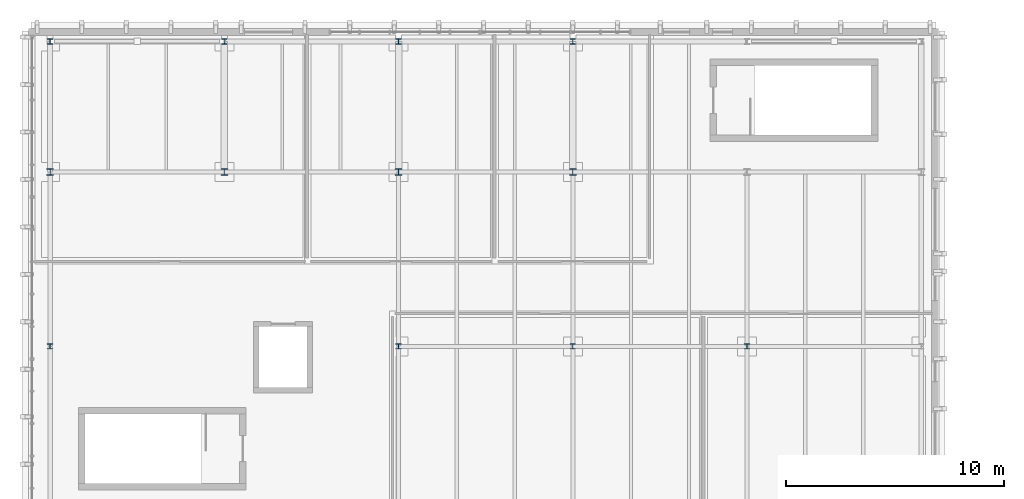
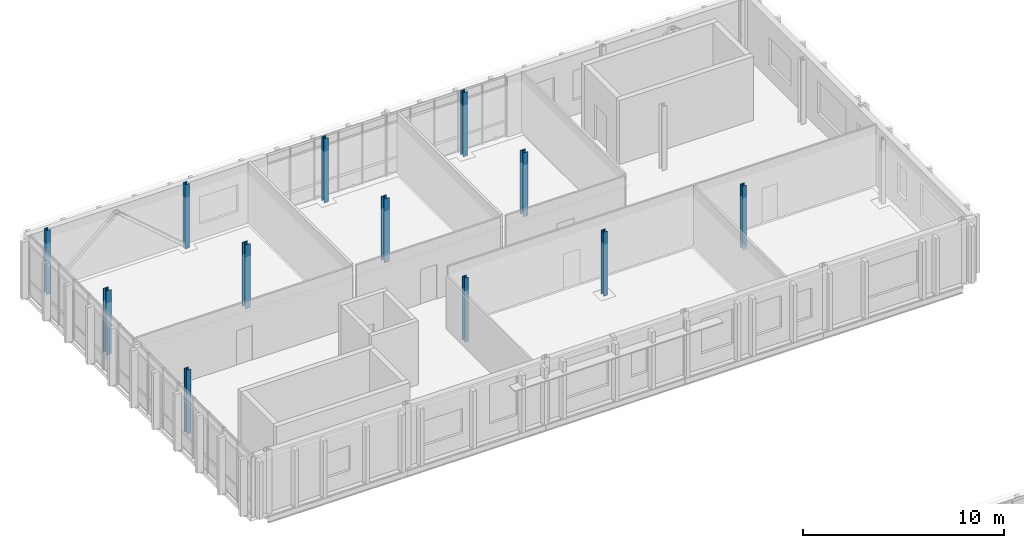
# One storey, part 4 of 40: 12 columns.
"""IFC4 building model written with IfcOpenShell, lengths in metres."""

import ifcopenshell
import ifcopenshell.guid

model = None  # the IFC model being written
_history = None  # IfcOwnerHistory: only IFC2X3 demands one
_inside = {}  # id of a spatial element -> (the spatial element, [elements in it])
_under = {}  # id of a project, library or spatial element -> (it, [spatial elements below it])
_declared = {}  # id of a project -> (the project, [libraries it declares])
_typed = {}  # id of a type object -> (the type object, [elements of that type])
_made_of = {}  # id of a material, layer set ... -> (it, [elements and type objects made of it])


def new_model(schema):
    """Start an empty IFC model of exactly this schema.

    Asked for "IFC4X3", IfcOpenShell would pick the latest addendum, in which some entities
    have other attributes; the version numbers below select the first issue.
    IFC2X3 requires an IfcOwnerHistory on every rooted entity: one is made here for all.
    """
    global model, _history
    if schema == "IFC4X3":
        model = ifcopenshell.file(schema_version=(4, 3, 0, 0))
    else:
        model = ifcopenshell.file(schema=schema)
    _inside.clear()
    _under.clear()
    _declared.clear()
    _typed.clear()
    _made_of.clear()
    _history = None
    if model.schema == "IFC2X3":
        org = make("IfcOrganization", Name="unknown")
        user = make(
            "IfcPersonAndOrganization",
            ThePerson=make("IfcPerson", FamilyName="unknown"),
            TheOrganization=org,
        )
        app = make(
            "IfcApplication",
            ApplicationDeveloper=org,
            Version="unknown",
            ApplicationFullName="unknown",
            ApplicationIdentifier="unknown",
        )
        _history = make(
            "IfcOwnerHistory",
            OwningUser=user,
            OwningApplication=app,
            ChangeAction="ADDED",
            CreationDate=0,
        )
    return model


def make(cls, **values):
    """One entity of the class cls with the attributes given. An attribute that is None is left unset."""
    return model.create_entity(
        cls, **{name: value for name, value in values.items() if value is not None}
    )


def rooted(cls, **values):
    """An entity with a GlobalId (a new one), such as an element, a storey or a relation."""
    return make(cls, GlobalId=ifcopenshell.guid.new(), OwnerHistory=_history, **values)


def si_unit(unit_type, name, prefix=None):
    """IfcSIUnit, for example si_unit("LENGTHUNIT", "METRE", prefix="MILLI")."""
    return make("IfcSIUnit", UnitType=unit_type, Prefix=prefix, Name=name)


def assignment(units):
    """IfcUnitAssignment: the units of a project."""
    return None if units is None else make("IfcUnitAssignment", Units=units)


def point(xyz):
    """IfcCartesianPoint."""
    return None if xyz is None else make("IfcCartesianPoint", Coordinates=xyz)


def direction(xyz):
    """IfcDirection."""
    return None if xyz is None else make("IfcDirection", DirectionRatios=xyz)


def frame(location, z_axis=None, x_axis=None):
    """IfcAxis2Placement3D, a coordinate frame: its origin and axes. An axis left out is left unset."""
    return make(
        "IfcAxis2Placement3D",
        Location=point(location),
        Axis=direction(z_axis),
        RefDirection=direction(x_axis),
    )


def frame_2d(location, x_axis=None):
    """IfcAxis2Placement2D, a coordinate frame in the plane: its origin and x axis."""
    return make(
        "IfcAxis2Placement2D", Location=point(location), RefDirection=direction(x_axis)
    )


def origin():
    """The frame at (0, 0, 0) with its axes left unset."""
    return frame((0.0, 0.0, 0.0))


def origin_2d():
    """The frame at (0, 0) in the plane with its x axis left unset."""
    return frame_2d((0.0, 0.0))


def place(relative_to, where):
    """IfcLocalPlacement: puts the frame where relative to a parent placement (None: the world)."""
    return make(
        "IfcLocalPlacement", PlacementRelTo=relative_to, RelativePlacement=where
    )


def context(
    kind, dimensions, precision=None, world=None, true_north=None, identifier=None
):
    """IfcGeometricRepresentationContext, for example the 3D "Model" context."""
    return make(
        "IfcGeometricRepresentationContext",
        ContextIdentifier=identifier,
        ContextType=kind,
        CoordinateSpaceDimension=dimensions,
        Precision=precision,
        WorldCoordinateSystem=world,
        TrueNorth=true_north,
    )


def subcontext(parent, identifier, kind, view, scale=None):
    """IfcGeometricRepresentationSubContext, for example "Body" below "Model"."""
    return make(
        "IfcGeometricRepresentationSubContext",
        ContextIdentifier=identifier,
        ContextType=kind,
        ParentContext=parent,
        TargetScale=scale,
        TargetView=view,
    )


def project(units=None, contexts=None):
    """IfcProject with its units and contexts."""
    return rooted(
        "IfcProject",
        Name="project",
        RepresentationContexts=contexts,
        UnitsInContext=assignment(units),
    )


def spatial(cls, under=None, at=None, **own):
    """A site, building, storey or space (cls), placed at a placement, below another one or the project."""
    s = rooted(cls, ObjectPlacement=at, **own)
    if under is not None:
        _under.setdefault(under.id(), (under, []))[1].append(s)
    return s


def profile(cls, at=None, kind="AREA", **sizes):
    """A parametric profile (cls). Its sizes go by their IFC names, for example OverallWidth=200.0."""
    return make(cls, ProfileType=kind, Position=at, **sizes)


def i_section(**sizes):
    """IfcIShapeProfileDef."""
    return profile("IfcIShapeProfileDef", **sizes)


def extrude(swept, where, along, depth):
    """IfcExtrudedAreaSolid: the profile swept, set in the frame where, extruded along a direction by depth."""
    return make(
        "IfcExtrudedAreaSolid",
        SweptArea=swept,
        Position=where,
        ExtrudedDirection=direction(along),
        Depth=depth,
    )


def shape(context_of_items, identifier, shape_type, items):
    """IfcShapeRepresentation: the items that make up one representation, for example the "Body"."""
    return make(
        "IfcShapeRepresentation",
        ContextOfItems=context_of_items,
        RepresentationIdentifier=identifier,
        RepresentationType=shape_type,
        Items=items,
    )


def material(Name=None, Category=None):
    """IfcMaterial."""
    return make("IfcMaterial", Name=Name, Category=Category)


def material_profile(
    of_material, cross_section, Name=None, Category=None, Priority=None
):
    """IfcMaterialProfile: a cross section and its material."""
    return make(
        "IfcMaterialProfile",
        Name=Name,
        Material=of_material,
        Profile=cross_section,
        Priority=Priority,
        Category=Category,
    )


def profile_set(profiles, Name=None, composite=None):
    """IfcMaterialProfileSet."""
    return make(
        "IfcMaterialProfileSet",
        Name=Name,
        MaterialProfiles=profiles,
        CompositeProfile=composite,
    )


def made_of(thing, what):
    """Note that an element or type object is made of a material, layer set ...; save() writes the relation."""
    if what is not None:
        _made_of.setdefault(what.id(), (what, []))[1].append(thing)
    return thing


def type_object(cls, material=None, **own):
    """A type object (cls), such as IfcWallType, which elements share."""
    return made_of(rooted(cls, **own), material)


def element(
    cls,
    number,
    at=None,
    inside=None,
    cuts=None,
    type_object=None,
    material=None,
    context=None,
    identifier="Body",
    shape_type=None,
    held_by="IfcProductDefinitionShape",
    body=None,
    shapes=None,
    **own,
):
    """One element of the class cls, such as IfcWall. Its Tag is "e" and its number.

    at: its placement. inside: the storey or other place that contains it. cuts: it is an
    opening in that element (IfcRelVoidsElement). A single representation is given by context,
    identifier, shape_type and body (its items); several are given by shapes. held_by: the class
    of the entity that holds the representations. save() writes the other relations.
    """
    e = rooted(cls, Tag="e%d" % number, ObjectPlacement=at, **own)
    if body is not None:
        shapes = [shape(context, identifier, shape_type, body)]
    if shapes is not None:
        e.Representation = make(held_by, Representations=shapes)
    if inside is not None:
        _inside.setdefault(inside.id(), (inside, []))[1].append(e)
    if cuts is not None:
        rooted(
            "IfcRelVoidsElement", RelatingBuildingElement=cuts, RelatedOpeningElement=e
        )
    if type_object is not None:
        _typed.setdefault(type_object.id(), (type_object, []))[1].append(e)
    return made_of(e, material)


def aggregate(whole, parts):
    """IfcRelAggregates: a whole, such as a stair, and the parts it consists of."""
    return rooted("IfcRelAggregates", RelatingObject=whole, RelatedObjects=parts)


def save(model, path):
    """Write the relations noted so far, then the file.

    IfcRelAggregates (storeys below a building ...), IfcRelContainedInSpatialStructure (elements
    in a storey), IfcRelDefinesByType, IfcRelAssociatesMaterial and IfcRelDeclares: one each for
    every whole, place, type object, material and project.
    """
    for whole, parts in _under.values():
        aggregate(whole, parts)
    for where, things in _inside.values():
        rooted(
            "IfcRelContainedInSpatialStructure",
            RelatedElements=things,
            RelatingStructure=where,
        )
    for kind, things in _typed.values():
        rooted("IfcRelDefinesByType", RelatedObjects=things, RelatingType=kind)
    for what, things in _made_of.values():
        rooted("IfcRelAssociatesMaterial", RelatedObjects=things, RelatingMaterial=what)
    for by, libraries in _declared.values():
        rooted("IfcRelDeclares", RelatingContext=by, RelatedDefinitions=libraries)
    model.write(path)


model = new_model("IFC4")

# Units and contexts
model_context = context("Model", 3, precision=1e-05, world=origin(), true_north=direction((0.0, 1.0)))
body_context = subcontext(model_context, "Body", "Model", "MODEL_VIEW")
ifc_project = project(units=[si_unit("LENGTHUNIT", "METRE"), si_unit("AREAUNIT", "SQUARE_METRE"), si_unit("VOLUMEUNIT", "CUBIC_METRE"), si_unit("PLANEANGLEUNIT", "RADIAN"), si_unit("MASSUNIT", "GRAM", prefix="KILO")], contexts=[model_context])

# Site, building, storey
site_placement = place(None, origin())
site = spatial("IfcSite", under=ifc_project, at=site_placement, CompositionType="ELEMENT")
building_placement = place(site_placement, origin())
building = spatial("IfcBuilding", under=site, at=building_placement, Name="Cymarion Research Institute", CompositionType="ELEMENT")
storey_placement = place(building_placement, frame((0.0, 0.0, 26.699951171875)))
storey = spatial("IfcBuildingStorey", under=building, at=storey_placement, Name="L06", CompositionType="ELEMENT", Elevation=26.699951171875)

# Columns
ifc_material = material(Name="Steel S355", Category="steel")
ifc_material_profile_1 = material_profile(ifc_material, i_section(OverallWidth=0.239990234375, OverallDepth=0.239990234375, WebThickness=0.010009765625, FlangeThickness=0.01708984375, FilletRadius=0.02099609375, at=origin_2d()), Name="HEB 240")
ifc_profile_set_1 = profile_set([ifc_material_profile_1], Name="Steel S355")
column_type_1 = type_object("IfcColumnType", Name="STRUCTURAL COLUMN C10 HEB 240", PredefinedType="COLUMN", material=ifc_profile_set_1)
for number, where, z_axis, x_axis, name in (
    (1, (6.60009765625, 101.5, 0.0), (0.0, 0.0, 1.0), (1.0, 0.0, 0.0), "L06 V5 column C10 #1179"),
    (2, (6.60009765625, 115.5, 0.0), (0.0, 0.0, 1.0), (1.0, 0.0, 0.0), "L06 V5 column C10 #1181"),
    (3, (14.60009765625, 115.5, 0.0), (0.0, 0.0, 1.0), (1.0, 0.0, 0.0), "L06 V5 column C10 #1188"),
    (4, (22.60009765625, 101.5, 0.0), (0.0, 0.0, 1.0), (1.0, 0.0, 0.0), "L06 V5 column C10 #1194"),
    (5, (22.60009765625, 115.5, 0.0), (0.0, 0.0, 1.0), (1.0, 0.0, 0.0), "L06 V5 column C10 #1196"),
    (6, (30.60009765625, 101.5, 0.0), (0.0, 0.0, 1.0), (1.0, 0.0, 0.0), "L06 V5 column C10 #1202"),
    (7, (30.60009765625, 115.5, 0.0), (0.0, 0.0, 1.0), (1.0, 0.0, 0.0), "L06 V5 column C10 #1204"),
    (8, (38.60009765625, 101.5, 0.0), (0.0, 0.0, 1.0), (1.0, 0.0, 0.0), "L06 V5 column C10 #1209"),
):
    element("IfcColumn", number, at=place(storey_placement, frame(where, z_axis=z_axis, x_axis=x_axis)), inside=storey, type_object=column_type_1, Name=name, PredefinedType="COLUMN", context=body_context, shape_type="SweptSolid", body=[
        extrude(i_section(OverallWidth=0.239990234375, OverallDepth=0.239990234375, WebThickness=0.010009765625, FlangeThickness=0.01708984375, FilletRadius=0.02099609375, at=origin_2d()), origin(), (0.0, 0.0, 1.0), 3.900146484375),
    ])
ifc_material_profile_2 = material_profile(ifc_material, i_section(OverallWidth=0.300048828125, OverallDepth=0.2900390625, WebThickness=0.008544921875, FlangeThickness=0.013916015625, FilletRadius=0.027099609375, at=origin_2d()), Name="HEA 300")
ifc_profile_set_2 = profile_set([ifc_material_profile_2], Name="Steel S355")
column_type_2 = type_object("IfcColumnType", Name="STRUCTURAL COLUMN C13 HEA 300", PredefinedType="COLUMN", material=ifc_profile_set_2)
for number, where, z_axis, x_axis, name in (
    (9, (6.60009765625, 109.5, 0.0), (0.0, 0.0, 1.0), (1.0, 0.0, 0.0), "L06 V5 column C13 #1180"),
    (10, (14.60009765625, 109.5, 0.0), (0.0, 0.0, 1.0), (1.0, 0.0, 0.0), "L06 V5 column C13 #1187"),
    (11, (22.60009765625, 109.5, 0.0), (0.0, 0.0, 1.0), (1.0, 0.0, 0.0), "L06 V5 column C13 #1195"),
    (12, (30.60009765625, 109.5, 0.0), (0.0, 0.0, 1.0), (1.0, 0.0, 0.0), "L06 V5 column C13 #1203"),
):
    element("IfcColumn", number, at=place(storey_placement, frame(where, z_axis=z_axis, x_axis=x_axis)), inside=storey, type_object=column_type_2, Name=name, PredefinedType="COLUMN", context=body_context, shape_type="SweptSolid", body=[
        extrude(i_section(OverallWidth=0.300048828125, OverallDepth=0.2900390625, WebThickness=0.008544921875, FlangeThickness=0.013916015625, FilletRadius=0.027099609375, at=origin_2d()), origin(), (0.0, 0.0, 1.0), 3.900146484375),
    ])

save(model, "model.ifc")
